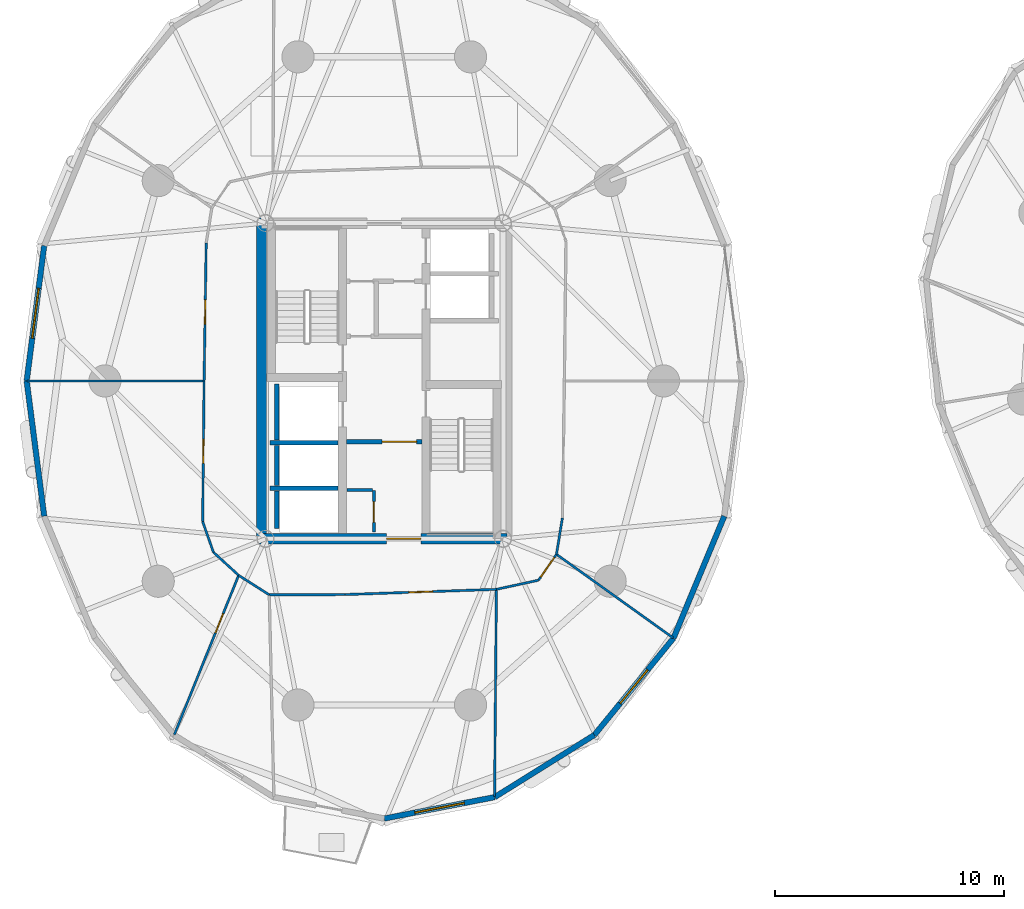
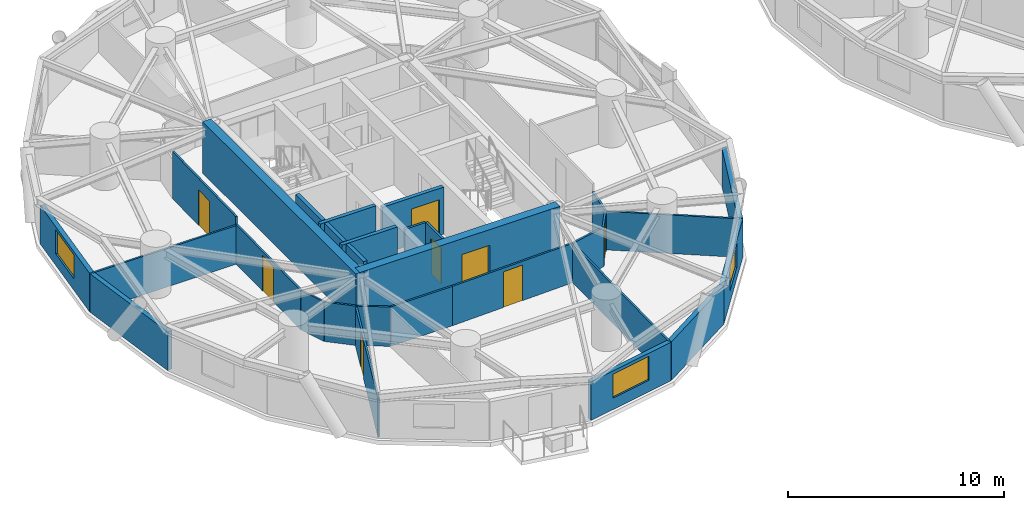
# One storey, part 9 of 17: 30 walls, 8 doors, 3 windows, 11 openings.
"""IFC4 building model written with IfcOpenShell, lengths in metres."""

from ifc_helpers import new_model, si_unit, direction, frame, frame_2d, origin, place, context, subcontext, project, spatial, rectangle, extrude, source, transform, mapped, material, layer, layer_set, type_object, element, fill, save


model = new_model("IFC4")

# Units and contexts
model_context = context("Model", 3, precision=1e-05, world=origin(), true_north=direction((0.0, 1.0)))
body_context = subcontext(model_context, "Body", "Model", "MODEL_VIEW")
ifc_project = project(units=[si_unit("LENGTHUNIT", "METRE"), si_unit("AREAUNIT", "SQUARE_METRE"), si_unit("VOLUMEUNIT", "CUBIC_METRE"), si_unit("PLANEANGLEUNIT", "RADIAN"), si_unit("MASSUNIT", "GRAM", prefix="KILO")], contexts=[model_context])

# Site, building, storey
site_placement = place(None, origin())
site = spatial("IfcSite", under=ifc_project, at=site_placement, CompositionType="ELEMENT")
building_placement = place(site_placement, origin())
building = spatial("IfcBuilding", under=site, at=building_placement, Name="Cununo Teusaquillo Station Towers", CompositionType="ELEMENT")
storey_placement = place(building_placement, frame((0.0, 0.0, 96.340087890625)))
storey = spatial("IfcBuildingStorey", under=building, at=storey_placement, Name="L30", CompositionType="ELEMENT", Elevation=96.340087890625)

# Walls
ifc_material_1 = material(Name="Concrete C50/60", Category="concrete")
ifc_layer_1 = layer(ifc_material_1, 0.199951171875)
ifc_layer_set_1 = layer_set([ifc_layer_1], Name="Concrete C50/60")
wall_type_1 = type_object("IfcWallType", Name="WL-CORE-200", PredefinedType="SHEAR", material=ifc_layer_set_1)
wall_1_placement = place(storey_placement, frame((11.52001953125, 21.800048828125, 0.0), z_axis=(0.0, 0.0, 1.0), x_axis=(1.0, 0.0, 0.0)))
element("IfcWall", 1, at=wall_1_placement, inside=storey, type_object=wall_type_1, Name="L30 Tower A Firefighting Lift Shaft South Shear Wall", PredefinedType="SHEAR", context=body_context, shape_type="SweptSolid", body=[
    extrude(rectangle(XDim=2.969970703125, YDim=0.199951171875, at=frame_2d((1.48486328125, 0.0))), origin(), (0.0, 0.0, 1.0), 2.909912109375),
])
wall_2_placement = place(storey_placement, frame((11.820068359375, 21.919921875, 0.0), z_axis=(0.0, 0.0, 1.0), x_axis=(0.0, 1.0, 0.0)))
element("IfcWall", 2, at=wall_2_placement, inside=storey, type_object=wall_type_1, Name="L30 Tower A Firefighting Lift Shaft Rear Shear Wall", PredefinedType="SHEAR", context=body_context, shape_type="SweptSolid", body=[
    extrude(rectangle(XDim=2.440185546875, YDim=0.199951171875, at=frame_2d((1.22021484375, 0.0))), origin(), (0.0, 0.0, 1.0), 2.909912109375),
])
wall_3_placement = place(storey_placement, frame((11.52001953125, 19.824951171875, 0.0), z_axis=(0.0, 0.0, 1.0), x_axis=(1.0, 0.0, 0.0)))
element("IfcWall", 3, at=wall_3_placement, inside=storey, type_object=wall_type_1, Name="L30 Tower A High-Rise Lift Hoistway Divider Shear Wall", PredefinedType="SHEAR", context=body_context, shape_type="SweptSolid", body=[
    extrude(rectangle(XDim=2.969970703125, YDim=0.199951171875, at=frame_2d((1.48486328125, 0.0))), origin(), (0.0, 0.0, 1.0), 2.909912109375),
])
wall_4_placement = place(storey_placement, frame((11.820068359375, 19.945068359375, 0.0), z_axis=(0.0, 0.0, 1.0), x_axis=(0.0, 1.0, 0.0)))
element("IfcWall", 4, at=wall_4_placement, inside=storey, type_object=wall_type_1, Name="L30 Tower A High-Rise Lift 2 Shaft Rear Shear Wall", PredefinedType="SHEAR", context=body_context, shape_type="SweptSolid", body=[
    extrude(rectangle(XDim=1.73486328125, YDim=0.199951171875, at=frame_2d((0.867431640625, 0.0))), origin(), (0.0, 0.0, 1.0), 2.909912109375),
])
wall_5_placement = place(storey_placement, frame((11.820068359375, 18.070068359375, 0.0), z_axis=(0.0, 0.0, 1.0), x_axis=(0.0, 1.0, 0.0)))
element("IfcWall", 5, at=wall_5_placement, inside=storey, type_object=wall_type_1, Name="L30 Tower A High-Rise Lift 1 Shaft Rear Shear Wall", PredefinedType="SHEAR", context=body_context, shape_type="SweptSolid", body=[
    extrude(rectangle(XDim=1.635009765625, YDim=0.199951171875, at=frame_2d((0.8173828125, 0.0))), origin(), (0.0, 0.0, 1.0), 2.909912109375),
])
ifc_material_2 = material(Name="Concrete C60/75", Category="concrete")
ifc_layer_2 = layer(ifc_material_2, 0.449951171875)
ifc_layer_set_2 = layer_set([ifc_layer_2], Name="Concrete C60/75")
wall_type_2 = type_object("IfcWallType", Name="WL-CORE-450", PredefinedType="SHEAR", material=ifc_layer_set_2)
wall_6_placement = place(storey_placement, frame((11.14990234375, 17.39990234375, 0.0), z_axis=(0.0, 0.0, 1.0), x_axis=(0.0, 1.0, 0.0)))
element("IfcWall", 6, at=wall_6_placement, inside=storey, type_object=wall_type_2, Name="L30 Tower A Core Shear Wall W", PredefinedType="SHEAR", context=body_context, shape_type="SweptSolid", body=[
    extrude(rectangle(XDim=14.2001953125, YDim=0.449951171875, at=frame_2d((7.10009765625, 0.0))), origin(), (0.0, 0.0, 1.0), 2.909912109375),
])

# Wall, opening, door
wall_7_placement = place(storey_placement, frame((11.14990234375, 17.625, 0.0), z_axis=(0.0, 0.0, 1.0), x_axis=(1.0, 0.0, 0.0)))
wall_7 = element("IfcWall", 7, at=wall_7_placement, inside=storey, type_object=wall_type_2, Name="L30 Tower A Core Shear Wall S", PredefinedType="SHEAR", context=body_context, shape_type="SweptSolid", body=[
    extrude(rectangle(XDim=10.7001953125, YDim=0.449951171875, at=frame_2d((5.35009765625, 0.0))), origin(), (0.0, 0.0, 1.0), 2.909912109375),
])
shared_shape_1 = source(origin(), body_context, "Body", "SweptSolid", [
    extrude(rectangle(XDim=1.5, YDim=2.02001953125, at=frame_2d((0.75, 1.010009765625))), frame((0.0, 0.23486328125, 0.0), z_axis=(0.0, -1.0, 0.0), x_axis=(1.0, 0.0, 0.0)), (0.0, 0.0, 1.0), 0.469970703125),
])
opening_1_placement = place(wall_7_placement, frame((5.449951171875, 0.0, 0.0)))
opening_1 = element("IfcOpeningElement", 8, at=opening_1_placement, cuts=wall_7, Name="Opening D-LB1", PredefinedType="OPENING", context=body_context, shape_type="MappedRepresentation", body=[
    mapped(shared_shape_1, transform((0.0, 0.0, 0.0), x_axis=(1.0, 0.0, 0.0), y_axis=(0.0, 1.0, 0.0), z_axis=(0.0, 0.0, 1.0), scale=1.0)),
])
ifc_material_3 = material(Name="Galvanised fire-rated hollow steel door assembly", Category="steel")
door_type_1 = type_object("IfcDoorType", Name="DR-LOBBY-1500", OperationType="DOUBLE_DOOR_SINGLE_SWING", PredefinedType="DOOR", material=ifc_material_3)
shared_shape_2 = source(origin(), body_context, "Body", "SweptSolid", [
    extrude(rectangle(XDim=1.5, YDim=2.02001953125, at=frame_2d((0.75, 1.010009765625))), frame((0.0, 0.02490234375, 0.0), z_axis=(0.0, -1.0, 0.0), x_axis=(1.0, 0.0, 0.0)), (0.0, 0.0, 1.0), 0.050048828125),
])
door_1_placement = place(opening_1_placement, origin())
door_1 = element("IfcDoor", 9, at=door_1_placement, inside=storey, type_object=door_type_1, Name="L30 Tower A South Core Lift Lobby Door", OperationType="DOUBLE_DOOR_SINGLE_SWING", OverallHeight=2.02001953125, OverallWidth=1.5, PredefinedType="DOOR", context=body_context, shape_type="MappedRepresentation", body=[
    mapped(shared_shape_2, transform((0.0, 0.0, 0.0), x_axis=(1.0, 0.0, 0.0), y_axis=(0.0, 1.0, 0.0), z_axis=(0.0, 0.0, 1.0), scale=1.0)),
])
fill(opening_1, door_1)

# Wall, opening, window
ifc_material_4 = material(Name="Precast concrete C40/50", Category="concrete")
ifc_layer_3 = layer(ifc_material_4, 0.239990234375)
ifc_layer_set_3 = layer_set([ifc_layer_3], Name="Precast concrete C40/50")
wall_type_3 = type_object("IfcWallType", Name="WL-EXT-240", PredefinedType="SOLIDWALL", material=ifc_layer_set_3)
wall_8_placement = place(storey_placement, frame((0.9189453125, 24.5, 0.0), z_axis=(0.0, 0.0, 1.0), x_axis=(0.128351991996, 0.991728675672, 0.0)))
wall_8 = element("IfcWall", 10, at=wall_8_placement, inside=storey, type_object=wall_type_3, Name="L30 Tower A Exterior Facade Wall C09", PredefinedType="SOLIDWALL", context=body_context, shape_type="SweptSolid", body=[
    extrude(rectangle(XDim=5.942138671875, YDim=0.239990234375, at=frame_2d((2.97119140625, 0.0))), origin(), (0.0, 0.0, 1.0), 2.178955078125),
])
shared_shape_3 = source(origin(), body_context, "Body", "SweptSolid", [
    extrude(rectangle(XDim=2.199951171875, YDim=1.35009765625, at=frame_2d((1.10009765625, 0.675048828125))), frame((0.0, 0.1298828125, 0.0), z_axis=(0.0, -1.0, 0.0), x_axis=(1.0, 0.0, 0.0)), (0.0, 0.0, 1.0), 0.260009765625),
])
opening_2_placement = place(wall_8_placement, frame((1.87109375, 0.0, 0.64990234375)))
opening_2 = element("IfcOpeningElement", 11, at=opening_2_placement, cuts=wall_8, Name="Opening WN-01", PredefinedType="OPENING", context=body_context, shape_type="MappedRepresentation", body=[
    mapped(shared_shape_3, transform((0.0, 0.0, 0.0), x_axis=(1.0, 0.0, 0.0), y_axis=(0.0, 1.0, 0.0), z_axis=(0.0, 0.0, 1.0), scale=1.0)),
])
ifc_material_5 = material(Name="Ceramic-fritted dark low-E double glazing", Category="glass")
window_type_1 = type_object("IfcWindowType", Name="WIN-FRIT-2200", PartitioningType="DOUBLE_PANEL_VERTICAL", PredefinedType="WINDOW", material=ifc_material_5)
shared_shape_4 = source(origin(), body_context, "Body", "SweptSolid", [
    extrude(rectangle(XDim=2.199951171875, YDim=1.35009765625, at=frame_2d((1.10009765625, 0.675048828125))), frame((0.0, 0.030029296875, 0.0), z_axis=(0.0, -1.0, 0.0), x_axis=(1.0, 0.0, 0.0)), (0.0, 0.0, 1.0), 0.06005859375),
])
window_1_placement = place(opening_2_placement, origin())
window_1 = element("IfcWindow", 12, at=window_1_placement, inside=storey, type_object=window_type_1, Name="L30 Tower A Facade Window C09", OverallHeight=1.35009765625, OverallWidth=2.199951171875, PartitioningType="DOUBLE_PANEL_VERTICAL", PredefinedType="WINDOW", context=body_context, shape_type="MappedRepresentation", body=[
    mapped(shared_shape_4, transform((0.0, 0.0, 0.0), x_axis=(1.0, 0.0, 0.0), y_axis=(0.0, 1.0, 0.0), z_axis=(0.0, 0.0, 1.0), scale=1.0)),
])
fill(opening_2, window_1)

# Wall
wall_9_placement = place(storey_placement, frame((1.681640625, 18.60693359375, 0.0), z_axis=(0.0, 0.0, 1.0), x_axis=(-0.128351991996, 0.991728675672, 0.0)))
element("IfcWall", 13, at=wall_9_placement, inside=storey, type_object=wall_type_3, Name="L30 Tower A Exterior Facade Wall C10", PredefinedType="SOLIDWALL", context=body_context, shape_type="SweptSolid", body=[
    extrude(rectangle(XDim=5.942138671875, YDim=0.239990234375, at=frame_2d((2.97119140625, 0.0))), origin(), (0.0, 0.0, 1.0), 2.178955078125),
])

# Wall, opening, window
wall_10_placement = place(storey_placement, frame((21.314697265625, 6.36328125, 0.0), z_axis=(0.0, 0.0, 1.0), x_axis=(-0.981723785992, -0.190311344954, 0.0)))
wall_10 = element("IfcWall", 14, at=wall_10_placement, inside=storey, type_object=wall_type_3, Name="L30 Tower A Exterior Facade Wall C15", PredefinedType="SOLIDWALL", context=body_context, shape_type="SweptSolid", body=[
    extrude(rectangle(XDim=4.904296875, YDim=0.239990234375, at=frame_2d((2.4521484375, 0.0))), origin(), (0.0, 0.0, 1.0), 2.178955078125),
])
opening_3_placement = place(wall_10_placement, frame((1.35205078125, 0.0, 0.64990234375)))
opening_3 = element("IfcOpeningElement", 15, at=opening_3_placement, cuts=wall_10, Name="Opening WN-01", PredefinedType="OPENING", context=body_context, shape_type="MappedRepresentation", body=[
    mapped(shared_shape_3, transform((0.0, 0.0, 0.0), x_axis=(1.0, 0.0, 0.0), y_axis=(0.0, 1.0, 0.0), z_axis=(0.0, 0.0, 1.0), scale=1.0)),
])
window_2_placement = place(opening_3_placement, origin())
window_2 = element("IfcWindow", 16, at=window_2_placement, inside=storey, type_object=window_type_1, Name="L30 Tower A Facade Window C15", OverallHeight=1.35009765625, OverallWidth=2.199951171875, PartitioningType="DOUBLE_PANEL_VERTICAL", PredefinedType="WINDOW", context=body_context, shape_type="MappedRepresentation", body=[
    mapped(shared_shape_4, transform((0.0, 0.0, 0.0), x_axis=(1.0, 0.0, 0.0), y_axis=(0.0, 1.0, 0.0), z_axis=(0.0, 0.0, 1.0), scale=1.0)),
])
fill(opening_3, window_2)

# Wall
wall_11_placement = place(storey_placement, frame((25.658203125, 9.072021484375, 0.0), z_axis=(0.0, 0.0, 1.0), x_axis=(-0.848520380187, -0.529162701263, 0.0)))
element("IfcWall", 17, at=wall_11_placement, inside=storey, type_object=wall_type_3, Name="L30 Tower A Exterior Facade Wall C16", PredefinedType="SOLIDWALL", context=body_context, shape_type="SweptSolid", body=[
    extrude(rectangle(XDim=5.118896484375, YDim=0.239990234375, at=frame_2d((2.5595703125, 0.0))), origin(), (0.0, 0.0, 1.0), 2.178955078125),
])

# Wall, opening, window
wall_12_placement = place(storey_placement, frame((29.105224609375, 13.291015625, 0.0), z_axis=(0.0, 0.0, 1.0), x_axis=(-0.632700781152, -0.77439635945, 0.0)))
wall_12 = element("IfcWall", 18, at=wall_12_placement, inside=storey, type_object=wall_type_3, Name="L30 Tower A Exterior Facade Wall C17", PredefinedType="SOLIDWALL", context=body_context, shape_type="SweptSolid", body=[
    extrude(rectangle(XDim=5.447998046875, YDim=0.239990234375, at=frame_2d((2.72412109375, 0.0))), origin(), (0.0, 0.0, 1.0), 2.178955078125),
])
shared_shape_5 = source(origin(), body_context, "Body", "SweptSolid", [
    extrude(rectangle(XDim=1.89990234375, YDim=1.35009765625, at=frame_2d((0.949951171875, 0.675048828125))), frame((0.0, 0.1298828125, 0.0), z_axis=(0.0, -1.0, 0.0), x_axis=(1.0, 0.0, 0.0)), (0.0, 0.0, 1.0), 0.260009765625),
])
opening_4_placement = place(wall_12_placement, frame((1.77392578125, 0.0, 0.64990234375)))
opening_4 = element("IfcOpeningElement", 19, at=opening_4_placement, cuts=wall_12, Name="Opening WN-02", PredefinedType="OPENING", context=body_context, shape_type="MappedRepresentation", body=[
    mapped(shared_shape_5, transform((0.0, 0.0, 0.0), x_axis=(1.0, 0.0, 0.0), y_axis=(0.0, 1.0, 0.0), z_axis=(0.0, 0.0, 1.0), scale=1.0)),
])
ifc_material_6 = material(Name="Operable acoustic tinted low-E double glazing", Category="glass")
window_type_2 = type_object("IfcWindowType", Name="WIN-OPER-1900", PartitioningType="DOUBLE_PANEL_VERTICAL", PredefinedType="WINDOW", material=ifc_material_6)
shared_shape_6 = source(origin(), body_context, "Body", "SweptSolid", [
    extrude(rectangle(XDim=1.89990234375, YDim=1.35009765625, at=frame_2d((0.949951171875, 0.675048828125))), frame((0.0, 0.030029296875, 0.0), z_axis=(0.0, -1.0, 0.0), x_axis=(1.0, 0.0, 0.0)), (0.0, 0.0, 1.0), 0.06005859375),
])
window_3_placement = place(opening_4_placement, origin())
window_3 = element("IfcWindow", 20, at=window_3_placement, inside=storey, type_object=window_type_2, Name="L30 Tower A Facade Window C17", OverallHeight=1.35009765625, OverallWidth=1.89990234375, PartitioningType="DOUBLE_PANEL_VERTICAL", PredefinedType="WINDOW", context=body_context, shape_type="MappedRepresentation", body=[
    mapped(shared_shape_6, transform((0.0, 0.0, 0.0), x_axis=(1.0, 0.0, 0.0), y_axis=(0.0, 1.0, 0.0), z_axis=(0.0, 0.0, 1.0), scale=1.0)),
])
fill(opening_4, window_3)

# Wall
wall_13_placement = place(storey_placement, frame((31.318359375, 18.60693359375, 0.0), z_axis=(0.0, 0.0, 1.0), x_axis=(-0.384344417632, -0.923189779317, 0.0)))
element("IfcWall", 21, at=wall_13_placement, inside=storey, type_object=wall_type_3, Name="L30 Tower A Exterior Facade Wall C18", PredefinedType="SOLIDWALL", context=body_context, shape_type="SweptSolid", body=[
    extrude(rectangle(XDim=5.75830078125, YDim=0.239990234375, at=frame_2d((2.879150390625, 0.0))), origin(), (0.0, 0.0, 1.0), 2.178955078125),
])

# Wall, opening, door
ifc_material_7 = material(Name="Fire-rated gypsum plasterboard partition assembly", Category="gypsum")
ifc_layer_4 = layer(ifc_material_7, 0.10009765625)
ifc_layer_set_4 = layer_set([ifc_layer_4], Name="Fire-rated gypsum plasterboard partition assembly")
wall_type_4 = type_object("IfcWallType", Name="WL-PART-100", PredefinedType="MOVABLE", material=ifc_layer_set_4)
wall_14_placement = place(storey_placement, frame((8.74169921875, 30.51171875, 0.0), z_axis=(0.0, 0.0, 1.0), x_axis=(-0.015267875777, -0.999883439191, 0.0)))
wall_14 = element("IfcWall", 22, at=wall_14_placement, inside=storey, type_object=wall_type_4, Name="L30 Tower A Corridor Ring Wall C09", PredefinedType="MOVABLE", context=body_context, shape_type="SweptSolid", body=[
    extrude(rectangle(XDim=6.012451171875, YDim=0.10009765625, at=frame_2d((3.00634765625, 0.0))), origin(), (0.0, 0.0, 1.0), 2.655029296875),
])
shared_shape_7 = source(origin(), body_context, "Body", "SweptSolid", [
    extrude(rectangle(XDim=1.050048828125, YDim=2.014892578125, at=frame_2d((0.52490234375, 1.00732421875))), frame((0.0, 0.06005859375, 0.0), z_axis=(0.0, -1.0, 0.0), x_axis=(1.0, 0.0, 0.0)), (0.0, 0.0, 1.0), 0.1201171875),
])
opening_5_placement = place(wall_14_placement, frame((2.481201171875, 0.0, 0.0)))
opening_5 = element("IfcOpeningElement", 23, at=opening_5_placement, cuts=wall_14, Name="Opening D-SU1", PredefinedType="OPENING", context=body_context, shape_type="MappedRepresentation", body=[
    mapped(shared_shape_7, transform((0.0, 0.0, 0.0), x_axis=(1.0, 0.0, 0.0), y_axis=(0.0, 1.0, 0.0), z_axis=(0.0, 0.0, 1.0), scale=1.0)),
])
ifc_material_8 = material(Name="Acoustic solid-core hardwood leaf assembly", Category="wood")
door_type_2 = type_object("IfcDoorType", Name="DR-SUITE-1050", OperationType="NOTDEFINED", PredefinedType="DOOR", material=ifc_material_8)
shared_shape_8 = source(origin(), body_context, "Body", "SweptSolid", [
    extrude(rectangle(XDim=1.050048828125, YDim=2.014892578125, at=frame_2d((0.52490234375, 1.00732421875))), frame((0.0, 0.02490234375, 0.0), z_axis=(0.0, -1.0, 0.0), x_axis=(1.0, 0.0, 0.0)), (0.0, 0.0, 1.0), 0.050048828125),
])
door_2_placement = place(opening_5_placement, origin())
door_2 = element("IfcDoor", 24, at=door_2_placement, inside=storey, type_object=door_type_2, Name="L30 Tower A Fixed-Income & FX Execution Desk Entrance Door", OperationType="SINGLE_SWING_RIGHT", OverallHeight=2.014892578125, OverallWidth=1.050048828125, PredefinedType="DOOR", context=body_context, shape_type="MappedRepresentation", body=[
    mapped(shared_shape_8, transform((0.0, 0.0, 0.0), x_axis=(1.0, 0.0, 0.0), y_axis=(0.0, 1.0, 0.0), z_axis=(0.0, 0.0, 1.0), scale=1.0)),
])
fill(opening_5, door_2)

wall_15_placement = place(storey_placement, frame((8.64990234375, 24.5, 0.0), z_axis=(0.0, 0.0, 1.0), x_axis=(-0.010196235655, -0.999948017038, 0.0)))
wall_15 = element("IfcWall", 25, at=wall_15_placement, inside=storey, type_object=wall_type_4, Name="L30 Tower A Corridor Ring Wall C10", PredefinedType="MOVABLE", context=body_context, shape_type="SweptSolid", body=[
    extrude(rectangle(XDim=6.129638671875, YDim=0.10009765625, at=frame_2d((3.06494140625, 0.0))), origin(), (0.0, 0.0, 1.0), 2.224853515625),
])
opening_6_placement = place(wall_15_placement, frame((2.539794921875, 0.0, 0.0)))
opening_6 = element("IfcOpeningElement", 26, at=opening_6_placement, cuts=wall_15, Name="Opening D-SU1", PredefinedType="OPENING", context=body_context, shape_type="MappedRepresentation", body=[
    mapped(shared_shape_7, transform((0.0, 0.0, 0.0), x_axis=(1.0, 0.0, 0.0), y_axis=(0.0, 1.0, 0.0), z_axis=(0.0, 0.0, 1.0), scale=1.0)),
])
door_3_placement = place(opening_6_placement, origin())
door_3 = element("IfcDoor", 27, at=door_3_placement, inside=storey, type_object=door_type_2, Name="L30 Tower A Derivatives Structuring Office Entrance Door", OperationType="SINGLE_SWING_LEFT", OverallHeight=2.014892578125, OverallWidth=1.050048828125, PredefinedType="DOOR", context=body_context, shape_type="MappedRepresentation", body=[
    mapped(shared_shape_8, transform((0.0, 0.0, 0.0), x_axis=(1.0, 0.0, 0.0), y_axis=(0.0, 1.0, 0.0), z_axis=(0.0, 0.0, 1.0), scale=1.0)),
])
fill(opening_6, door_3)

# Walls
wall_16_placement = place(storey_placement, frame((8.58740234375, 18.37060546875, 0.0), z_axis=(0.0, 0.0, 1.0), x_axis=(0.331494289155, -0.943457225452, 0.0)))
element("IfcWall", 28, at=wall_16_placement, inside=storey, type_object=wall_type_4, Name="L30 Tower A Corridor Ring Wall C11", PredefinedType="MOVABLE", context=body_context, shape_type="SweptSolid", body=[
    extrude(rectangle(XDim=1.416259765625, YDim=0.10009765625, at=frame_2d((0.7080078125, 0.0))), origin(), (0.0, 0.0, 1.0), 2.224853515625),
])
wall_17_placement = place(storey_placement, frame((9.056884765625, 17.034423828125, 0.0), z_axis=(0.0, 0.0, 1.0), x_axis=(0.737874877538, -0.674937526811, 0.0)))
element("IfcWall", 29, at=wall_17_placement, inside=storey, type_object=wall_type_4, Name="L30 Tower A Corridor Ring Wall C12", PredefinedType="MOVABLE", context=body_context, shape_type="SweptSolid", body=[
    extrude(rectangle(XDim=1.489501953125, YDim=0.10009765625, at=frame_2d((0.74462890625, 0.0))), origin(), (0.0, 0.0, 1.0), 2.224853515625),
])
wall_18_placement = place(storey_placement, frame((10.156005859375, 16.029052734375, 0.0), z_axis=(0.0, 0.0, 1.0), x_axis=(0.843127549493, -0.537713618282, 0.0)))
element("IfcWall", 30, at=wall_18_placement, inside=storey, type_object=wall_type_4, Name="L30 Tower A Corridor Ring Wall C13", PredefinedType="MOVABLE", context=body_context, shape_type="SweptSolid", body=[
    extrude(rectangle(XDim=1.582763671875, YDim=0.10009765625, at=frame_2d((0.79150390625, 0.0))), origin(), (0.0, 0.0, 1.0), 2.224853515625),
])
wall_19_placement = place(storey_placement, frame((11.490478515625, 15.177978515625, 0.0), z_axis=(0.0, 0.0, 1.0), x_axis=(0.99999260582, 0.003845556538, 0.0)))
element("IfcWall", 31, at=wall_19_placement, inside=storey, type_object=wall_type_4, Name="L30 Tower A Corridor Ring Wall C14", PredefinedType="MOVABLE", context=body_context, shape_type="SweptSolid", body=[
    extrude(rectangle(XDim=3.30126953125, YDim=0.10009765625, at=frame_2d((1.650634765625, 0.0))), origin(), (0.0, 0.0, 1.0), 2.224853515625),
])

# Wall, opening, door
wall_20_placement = place(storey_placement, frame((14.791748046875, 15.190673828125, 0.0), z_axis=(0.0, 0.0, 1.0), x_axis=(0.999405559957, 0.034475015985, 0.0)))
wall_20 = element("IfcWall", 32, at=wall_20_placement, inside=storey, type_object=wall_type_4, Name="L30 Tower A Corridor Ring Wall C15", PredefinedType="MOVABLE", context=body_context, shape_type="SweptSolid", body=[
    extrude(rectangle(XDim=6.60009765625, YDim=0.10009765625, at=frame_2d((3.300048828125, 0.0))), origin(), (0.0, 0.0, 1.0), 2.224853515625),
])
opening_7_placement = place(wall_20_placement, frame((2.775146484375, 0.0, 0.0)))
opening_7 = element("IfcOpeningElement", 33, at=opening_7_placement, cuts=wall_20, Name="Opening D-SU1", PredefinedType="OPENING", context=body_context, shape_type="MappedRepresentation", body=[
    mapped(shared_shape_7, transform((0.0, 0.0, 0.0), x_axis=(1.0, 0.0, 0.0), y_axis=(0.0, 1.0, 0.0), z_axis=(0.0, 0.0, 1.0), scale=1.0)),
])
door_4_placement = place(opening_7_placement, origin())
door_4 = element("IfcDoor", 34, at=door_4_placement, inside=storey, type_object=door_type_2, Name="L30 Tower A Algorithmic Backtesting Lab Entrance Door", OperationType="SINGLE_SWING_LEFT", OverallHeight=2.014892578125, OverallWidth=1.050048828125, PredefinedType="DOOR", context=body_context, shape_type="MappedRepresentation", body=[
    mapped(shared_shape_8, transform((0.0, 0.0, 0.0), x_axis=(1.0, 0.0, 0.0), y_axis=(0.0, 1.0, 0.0), z_axis=(0.0, 0.0, 1.0), scale=1.0)),
])
fill(opening_7, door_4)

# Wall
wall_21_placement = place(storey_placement, frame((21.387939453125, 15.418212890625, 0.0), z_axis=(0.0, 0.0, 1.0), x_axis=(0.977297113048, 0.211873435874, 0.0)))
element("IfcWall", 35, at=wall_21_placement, inside=storey, type_object=wall_type_4, Name="L30 Tower A Corridor Ring Wall C16", PredefinedType="MOVABLE", context=body_context, shape_type="SweptSolid", body=[
    extrude(rectangle(XDim=1.877197265625, YDim=0.10009765625, at=frame_2d((0.9384765625, 0.0))), origin(), (0.0, 0.0, 1.0), 2.224853515625),
])

# Wall, opening, door
wall_22_placement = place(storey_placement, frame((23.222412109375, 15.81591796875, 0.0), z_axis=(0.0, 0.0, 1.0), x_axis=(0.57002280034, 0.821628874306, 0.0)))
wall_22 = element("IfcWall", 36, at=wall_22_placement, inside=storey, type_object=wall_type_4, Name="L30 Tower A Corridor Ring Wall C17", PredefinedType="MOVABLE", context=body_context, shape_type="SweptSolid", body=[
    extrude(rectangle(XDim=1.3740234375, YDim=0.10009765625, at=frame_2d((0.68701171875, 0.0))), origin(), (0.0, 0.0, 1.0), 2.224853515625),
])
opening_8_placement = place(wall_22_placement, frame((0.162109375, 0.0, 0.0)))
opening_8 = element("IfcOpeningElement", 37, at=opening_8_placement, cuts=wall_22, Name="Opening D-SU1", PredefinedType="OPENING", context=body_context, shape_type="MappedRepresentation", body=[
    mapped(shared_shape_7, transform((0.0, 0.0, 0.0), x_axis=(1.0, 0.0, 0.0), y_axis=(0.0, 1.0, 0.0), z_axis=(0.0, 0.0, 1.0), scale=1.0)),
])
door_5_placement = place(opening_8_placement, origin())
door_5 = element("IfcDoor", 38, at=door_5_placement, inside=storey, type_object=door_type_2, Name="L30 Tower A Traders Quiet Recovery Pantry Entrance Door", OperationType="SINGLE_SWING_RIGHT", OverallHeight=2.014892578125, OverallWidth=1.050048828125, PredefinedType="DOOR", context=body_context, shape_type="MappedRepresentation", body=[
    mapped(shared_shape_8, transform((0.0, 0.0, 0.0), x_axis=(1.0, 0.0, 0.0), y_axis=(0.0, 1.0, 0.0), z_axis=(0.0, 0.0, 1.0), scale=1.0)),
])
fill(opening_8, door_5)

# Walls
wall_23_placement = place(storey_placement, frame((24.005615234375, 16.94482421875, 0.0), z_axis=(0.0, 0.0, 1.0), x_axis=(0.161240753481, 0.986915102436, 0.0)))
element("IfcWall", 39, at=wall_23_placement, inside=storey, type_object=wall_type_4, Name="L30 Tower A Corridor Ring Wall C18", PredefinedType="MOVABLE", context=body_context, shape_type="SweptSolid", body=[
    extrude(rectangle(XDim=1.60498046875, YDim=0.10009765625, at=frame_2d((0.802490234375, 0.0))), origin(), (0.0, 0.0, 1.0), 2.224853515625),
])
wall_24_placement = place(storey_placement, frame((8.64990234375, 24.5, 0.0), z_axis=(0.0, 0.0, 1.0), x_axis=(-1.0, 0.0, 0.0)))
element("IfcWall", 40, at=wall_24_placement, inside=storey, type_object=wall_type_4, Name="L30 Tower A Radial Suite Partition R05", PredefinedType="MOVABLE", context=body_context, shape_type="SweptSolid", body=[
    extrude(rectangle(XDim=7.7109375, YDim=0.10009765625, at=frame_2d((3.85546875, 0.0))), origin(), (0.0, 0.0, 1.0), 2.178955078125),
])
wall_25_placement = place(storey_placement, frame((21.387939453125, 15.418212890625, 0.0), z_axis=(0.0, 0.0, 1.0), x_axis=(-0.008780834631, -0.999961447728, 0.0)))
element("IfcWall", 41, at=wall_25_placement, inside=storey, type_object=wall_type_4, Name="L30 Tower A Radial Suite Partition R07", PredefinedType="MOVABLE", context=body_context, shape_type="SweptSolid", body=[
    extrude(rectangle(XDim=9.0361328125, YDim=0.10009765625, at=frame_2d((4.51806640625, 0.0))), origin(), (0.0, 0.0, 1.0), 2.178955078125),
])
wall_26_placement = place(storey_placement, frame((24.005615234375, 16.94482421875, 0.0), z_axis=(0.0, 0.0, 1.0), x_axis=(0.81289906925, -0.582404587219, 0.0)))
element("IfcWall", 42, at=wall_26_placement, inside=storey, type_object=wall_type_4, Name="L30 Tower A Radial Suite Partition R08", PredefinedType="MOVABLE", context=body_context, shape_type="SweptSolid", body=[
    extrude(rectangle(XDim=6.25341796875, YDim=0.10009765625, at=frame_2d((3.126708984375, 0.0))), origin(), (0.0, 0.0, 1.0), 2.178955078125),
])

# Wall, opening, door
wall_27_placement = place(storey_placement, frame((10.156005859375, 16.029052734375, 0.0), z_axis=(0.0, 0.0, 1.0), x_axis=(-0.374397256956, -0.9272684045, 0.0)))
wall_27 = element("IfcWall", 43, at=wall_27_placement, inside=storey, type_object=wall_type_4, Name="L30 Tower A Derivatives Structuring Office Suite Subdividing Wall", PredefinedType="MOVABLE", context=body_context, shape_type="SweptSolid", body=[
    extrude(rectangle(XDim=7.4853515625, YDim=0.10009765625, at=frame_2d((3.74267578125, 0.0))), origin(), (0.0, 0.0, 1.0), 2.178955078125),
])
shared_shape_9 = source(origin(), body_context, "Body", "SweptSolid", [
    extrude(rectangle(XDim=0.89990234375, YDim=2.0048828125, at=frame_2d((0.449951171875, 1.00244140625))), frame((0.0, 0.06005859375, 0.0), z_axis=(0.0, -1.0, 0.0), x_axis=(1.0, 0.0, 0.0)), (0.0, 0.0, 1.0), 0.1201171875),
])
opening_9_placement = place(wall_27_placement, frame((1.800048828125, 0.0, 0.0)))
opening_9 = element("IfcOpeningElement", 44, at=opening_9_placement, cuts=wall_27, Name="Opening D-IN1", PredefinedType="OPENING", context=body_context, shape_type="MappedRepresentation", body=[
    mapped(shared_shape_9, transform((0.0, 0.0, 0.0), x_axis=(1.0, 0.0, 0.0), y_axis=(0.0, 1.0, 0.0), z_axis=(0.0, 0.0, 1.0), scale=1.0)),
])
ifc_material_9 = material(Name="Acoustic solid-core hardwood leaf assembly", Category="wood")
door_type_3 = type_object("IfcDoorType", Name="DR-INT-900", OperationType="NOTDEFINED", PredefinedType="DOOR", material=ifc_material_9)
shared_shape_10 = source(origin(), body_context, "Body", "SweptSolid", [
    extrude(rectangle(XDim=0.89990234375, YDim=2.0048828125, at=frame_2d((0.449951171875, 1.00244140625))), frame((0.0, 0.02490234375, 0.0), z_axis=(0.0, -1.0, 0.0), x_axis=(1.0, 0.0, 0.0)), (0.0, 0.0, 1.0), 0.050048828125),
])
door_6_placement = place(opening_9_placement, origin())
door_6 = element("IfcDoor", 45, at=door_6_placement, inside=storey, type_object=door_type_3, Name="L30 Tower A Derivatives Structuring Office Suite Connecting Door", OperationType="SINGLE_SWING_RIGHT", OverallHeight=2.0048828125, OverallWidth=0.89990234375, PredefinedType="DOOR", context=body_context, shape_type="MappedRepresentation", body=[
    mapped(shared_shape_10, transform((0.0, 0.0, 0.0), x_axis=(1.0, 0.0, 0.0), y_axis=(0.0, 1.0, 0.0), z_axis=(0.0, 0.0, 1.0), scale=1.0)),
])
fill(opening_9, door_6)

ifc_material_10 = material(Name="Fire-rated gypsum plasterboard partition assembly", Category="gypsum")
ifc_layer_5 = layer(ifc_material_10, 0.125)
ifc_layer_set_5 = layer_set([ifc_layer_5], Name="Fire-rated gypsum plasterboard partition assembly")
wall_type_5 = type_object("IfcWallType", Name="WL-PART-125", PredefinedType="PARTITIONING", material=ifc_layer_set_5)
wall_28_placement = place(storey_placement, frame((16.050048828125, 17.919921875, 0.0), z_axis=(0.0, 0.0, 1.0), x_axis=(0.0, 1.0, 0.0)))
wall_28 = element("IfcWall", 46, at=wall_28_placement, inside=storey, type_object=wall_type_5, Name="L30 Tower A South-West Compact Store East Wall", PredefinedType="PARTITIONING", context=body_context, shape_type="SweptSolid", body=[
    extrude(rectangle(XDim=1.800048828125, YDim=0.125, at=frame_2d((0.89990234375, 0.0))), origin(), (0.0, 0.0, 1.0), 2.655029296875),
])
shared_shape_11 = source(origin(), body_context, "Body", "SweptSolid", [
    extrude(rectangle(XDim=0.89990234375, YDim=2.0048828125, at=frame_2d((0.449951171875, 1.00244140625))), frame((0.0, 0.072509765625, 0.0), z_axis=(0.0, -1.0, 0.0), x_axis=(1.0, 0.0, 0.0)), (0.0, 0.0, 1.0), 0.14501953125),
])
opening_10_placement = place(wall_28_placement, frame((0.419921875, 0.0, 0.0)))
opening_10 = element("IfcOpeningElement", 47, at=opening_10_placement, cuts=wall_28, Name="Opening D-SR1", PredefinedType="OPENING", context=body_context, shape_type="MappedRepresentation", body=[
    mapped(shared_shape_11, transform((0.0, 0.0, 0.0), x_axis=(1.0, 0.0, 0.0), y_axis=(0.0, 1.0, 0.0), z_axis=(0.0, 0.0, 1.0), scale=1.0)),
])
ifc_material_11 = material(Name="Galvanised fire-rated hollow steel door assembly", Category="steel")
door_type_4 = type_object("IfcDoorType", Name="DR-STORE-900", OperationType="NOTDEFINED", PredefinedType="DOOR", material=ifc_material_11)
door_7_placement = place(opening_10_placement, origin())
door_7 = element("IfcDoor", 48, at=door_7_placement, inside=storey, type_object=door_type_4, Name="L30 Tower A Core Electrical & Comms Store Door", OperationType="SINGLE_SWING_RIGHT", OverallHeight=2.0048828125, OverallWidth=0.89990234375, PredefinedType="DOOR", context=body_context, shape_type="MappedRepresentation", body=[
    mapped(shared_shape_10, transform((0.0, 0.0, 0.0), x_axis=(1.0, 0.0, 0.0), y_axis=(0.0, 1.0, 0.0), z_axis=(0.0, 0.0, 1.0), scale=1.0)),
])
fill(opening_10, door_7)

# Wall
wall_29_placement = place(storey_placement, frame((14.8798828125, 19.75, 0.0), z_axis=(0.0, 0.0, 1.0), x_axis=(1.0, 0.0, 0.0)))
element("IfcWall", 49, at=wall_29_placement, inside=storey, type_object=wall_type_5, Name="L30 Tower A South-West Compact Store North Wall", PredefinedType="PARTITIONING", context=body_context, shape_type="SweptSolid", body=[
    extrude(rectangle(XDim=1.10009765625, YDim=0.125, at=frame_2d((0.550048828125, 0.0))), origin(), (0.0, 0.0, 1.0), 2.655029296875),
])

# Wall, opening, door
ifc_material_12 = material(Name="Fire-rated gypsum plasterboard partition assembly", Category="gypsum")
ifc_layer_6 = layer(ifc_material_12, 0.199951171875)
ifc_layer_set_6 = layer_set([ifc_layer_6], Name="Fire-rated gypsum plasterboard partition assembly")
wall_type_6 = type_object("IfcWallType", Name="WL-PART-200", PredefinedType="PARTITIONING", material=ifc_layer_set_6)
wall_30_placement = place(storey_placement, frame((14.860107421875, 21.85009765625, 0.0), z_axis=(0.0, 0.0, 1.0), x_axis=(1.0, 0.0, 0.0)))
wall_30 = element("IfcWall", 50, at=wall_30_placement, inside=storey, type_object=wall_type_6, Name="L30 Tower A Firefighting Lift Lobby South Fire Wall", PredefinedType="PARTITIONING", context=body_context, shape_type="SweptSolid", body=[
    extrude(rectangle(XDim=3.27978515625, YDim=0.199951171875, at=frame_2d((1.639892578125, 0.0))), origin(), (0.0, 0.0, 1.0), 2.655029296875),
])
shared_shape_12 = source(origin(), body_context, "Body", "SweptSolid", [
    extrude(rectangle(XDim=1.5, YDim=2.02001953125, at=frame_2d((0.75, 1.010009765625))), frame((0.0, 0.10986328125, 0.0), z_axis=(0.0, -1.0, 0.0), x_axis=(1.0, 0.0, 0.0)), (0.0, 0.0, 1.0), 0.219970703125),
])
opening_11_placement = place(wall_30_placement, frame((1.550048828125, 0.0, 0.0)))
opening_11 = element("IfcOpeningElement", 51, at=opening_11_placement, cuts=wall_30, Name="Opening D-LB1", PredefinedType="OPENING", context=body_context, shape_type="MappedRepresentation", body=[
    mapped(shared_shape_12, transform((0.0, 0.0, 0.0), x_axis=(1.0, 0.0, 0.0), y_axis=(0.0, 1.0, 0.0), z_axis=(0.0, 0.0, 1.0), scale=1.0)),
])
door_8_placement = place(opening_11_placement, origin())
door_8 = element("IfcDoor", 52, at=door_8_placement, inside=storey, type_object=door_type_1, Name="L30 Tower A Firefighting Lift Lobby South Fire Door", OperationType="DOUBLE_DOOR_SINGLE_SWING", OverallHeight=2.02001953125, OverallWidth=1.5, PredefinedType="DOOR", context=body_context, shape_type="MappedRepresentation", body=[
    mapped(shared_shape_2, transform((0.0, 0.0, 0.0), x_axis=(1.0, 0.0, 0.0), y_axis=(0.0, 1.0, 0.0), z_axis=(0.0, 0.0, 1.0), scale=1.0)),
])
fill(opening_11, door_8)

save(model, "model.ifc")
